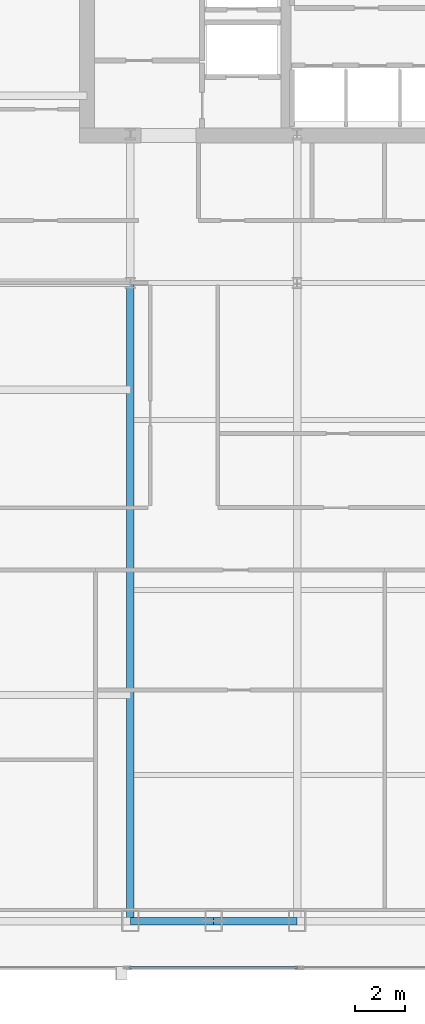
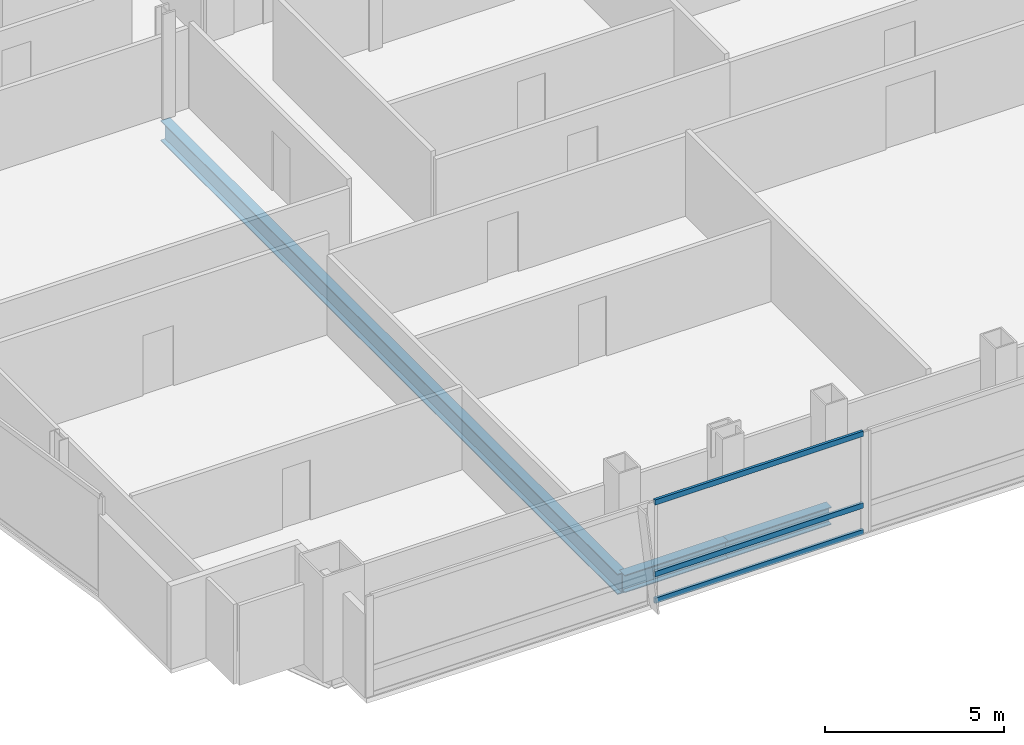
# One storey, part 7 of 29: 3 beams, 3 members, 1 element without a shape of its own.
"""IFC4 building model written with IfcOpenShell, lengths in metres."""

from ifc_helpers import new_model, si_unit, direction, frame, origin, origin_2d, place, context, subcontext, project, spatial, hollow_rectangle, i_section, extrude, material, material_profile, profile_set, type_object, element, aggregate, save


model = new_model("IFC4")

# Units and contexts
model_context = context("Model", 3, precision=1e-05, world=origin(), true_north=direction((0.0, 1.0)))
body_context = subcontext(model_context, "Body", "Model", "MODEL_VIEW")
ifc_project = project(units=[si_unit("LENGTHUNIT", "METRE"), si_unit("AREAUNIT", "SQUARE_METRE"), si_unit("VOLUMEUNIT", "CUBIC_METRE"), si_unit("PLANEANGLEUNIT", "RADIAN"), si_unit("MASSUNIT", "GRAM", prefix="KILO")], contexts=[model_context])

# Site, building, storey
site_placement = place(None, origin())
site = spatial("IfcSite", under=ifc_project, at=site_placement, CompositionType="ELEMENT")
building_placement = place(site_placement, origin())
building = spatial("IfcBuilding", under=site, at=building_placement, Name="Khoronbel Lancet Exchange", CompositionType="ELEMENT")
storey_placement = place(building_placement, frame((0.0, 0.0, 177.0)))
storey = spatial("IfcBuildingStorey", under=building, at=storey_placement, Name="L44", CompositionType="ELEMENT", Elevation=177.0)

# Beams
ifc_material_1 = material(Name="Steel S355", Category="steel")
ifc_material_profile_1 = material_profile(ifc_material_1, i_section(OverallWidth=0.300048828125, OverallDepth=0.699951171875, WebThickness=0.01708984375, FlangeThickness=0.031982421875, at=origin_2d()), Name="HEB 700")
ifc_profile_set_1 = profile_set([ifc_material_profile_1], Name="Steel S355")
beam_type_1 = type_object("IfcBeamType", Name="BM-BG3", PredefinedType="BEAM", material=ifc_profile_set_1)
beam_placement = place(storey_placement, frame((18.22509765625, 10.14990234375, -0.510009765625), z_axis=(0.0, 1.0, 0.0), x_axis=(-1.0, 0.0, 0.0)))
element("IfcBeam", 1, at=beam_placement, inside=storey, type_object=beam_type_1, Name="Level L44 south primary girder GS1", PredefinedType="BEAM", context=body_context, shape_type="SweptSolid", body=[
    extrude(i_section(OverallWidth=0.300048828125, OverallDepth=0.699951171875, WebThickness=0.01708984375, FlangeThickness=0.031982421875, at=origin_2d()), origin(), (0.0, 0.0, 1.0), 25.550048828125),
])
ifc_material_profile_2 = material_profile(ifc_material_1, i_section(OverallWidth=0.300048828125, OverallDepth=0.60009765625, WebThickness=0.015380859375, FlangeThickness=0.030029296875, at=origin_2d()), Name="HEB 600")
ifc_profile_set_2 = profile_set([ifc_material_profile_2], Name="Steel S355")
beam_type_2 = type_object("IfcBeamType", Name="BM-BSP2", PredefinedType="SPANDREL", material=ifc_profile_set_2)
for number, where, z_axis, x_axis, name in (
    (2, (18.22509765625, 10.14990234375, -0.4599609375), (1.0, 0.0, 0.0), (0.0, 1.0, 0.0), "Level L44 perimeter spandrel beam SP02"),
    (3, (21.5625, 10.14990234375, -0.4599609375), (1.0, 0.0, 0.0), (0.0, 1.0, 0.0), "Level L44 perimeter spandrel beam SP03"),
):
    element("IfcBeam", number, at=place(storey_placement, frame(where, z_axis=z_axis, x_axis=x_axis)), inside=storey, type_object=beam_type_2, Name=name, PredefinedType="SPANDREL", context=body_context, shape_type="SweptSolid", body=[
        extrude(i_section(OverallWidth=0.300048828125, OverallDepth=0.60009765625, WebThickness=0.015380859375, FlangeThickness=0.030029296875, at=origin_2d()), origin(), (0.0, 0.0, 1.0), 3.33740234375),
    ])

# Curtain wall, members
ifc_material_2 = material(Name="Low-E Solar Control Insulating Glass", Category="glass")
curtain_wall_type = type_object("IfcCurtainWallType", Name="CW-3", PredefinedType="NOTDEFINED", material=ifc_material_2)
curtain_wall_placement = place(storey_placement, origin())
curtain_wall = element("IfcCurtainWall", 4, at=curtain_wall_placement, inside=storey, type_object=curtain_wall_type, Name="Unitised curtain wall CW-L44-SWB", PredefinedType="NOTDEFINED")
ifc_material_3 = material(Name="Bronze-Anodised Aluminium 6063-T6", Category="aluminium")
ifc_material_profile_3 = material_profile(ifc_material_3, hollow_rectangle(XDim=0.0849609375, YDim=0.179931640625, WallThickness=0.0048828125, at=origin_2d()), Name="ALU TRANSOM 85x180")
ifc_profile_set_3 = profile_set([ifc_material_profile_3], Name="Bronze-Anodised Aluminium 6063-T6")
member_type = type_object("IfcMemberType", Name="MEM-CWT1", PredefinedType="USERDEFINED", material=ifc_profile_set_3)
member_1_placement = place(storey_placement, frame((18.18505859375, 8.2900390625, 0.04248046875), z_axis=(1.0, 0.0, 0.0), x_axis=(0.0, 1.0, 0.0)))
member_1 = element("IfcMember", 5, at=member_1_placement, type_object=member_type, Name="CW3 transom 1.1", ObjectType="TRANSOM", PredefinedType="USERDEFINED", context=body_context, shape_type="SweptSolid", body=[
    extrude(hollow_rectangle(XDim=0.0849609375, YDim=0.179931640625, WallThickness=0.0048828125, at=origin_2d()), origin(), (0.0, 0.0, 1.0), 6.72998046875),
])
member_2_placement = place(storey_placement, frame((18.18505859375, 8.2900390625, 0.949951171875), z_axis=(1.0, 0.0, 0.0), x_axis=(0.0, 1.0, 0.0)))
member_2 = element("IfcMember", 6, at=member_2_placement, type_object=member_type, Name="CW3 transom 1.2", ObjectType="TRANSOM", PredefinedType="USERDEFINED", context=body_context, shape_type="SweptSolid", body=[
    extrude(hollow_rectangle(XDim=0.0849609375, YDim=0.179931640625, WallThickness=0.0048828125, at=origin_2d()), origin(), (0.0, 0.0, 1.0), 6.72998046875),
])
member_3_placement = place(storey_placement, frame((18.18505859375, 8.2900390625, 3.3974609375), z_axis=(1.0, 0.0, 0.0), x_axis=(0.0, 1.0, 0.0)))
member_3 = element("IfcMember", 7, at=member_3_placement, type_object=member_type, Name="CW3 transom 1.3", ObjectType="TRANSOM", PredefinedType="USERDEFINED", context=body_context, shape_type="SweptSolid", body=[
    extrude(hollow_rectangle(XDim=0.0849609375, YDim=0.179931640625, WallThickness=0.0048828125, at=origin_2d()), origin(), (0.0, 0.0, 1.0), 6.72998046875),
])
aggregate(curtain_wall, [member_1, member_2, member_3])

save(model, "model.ifc")
